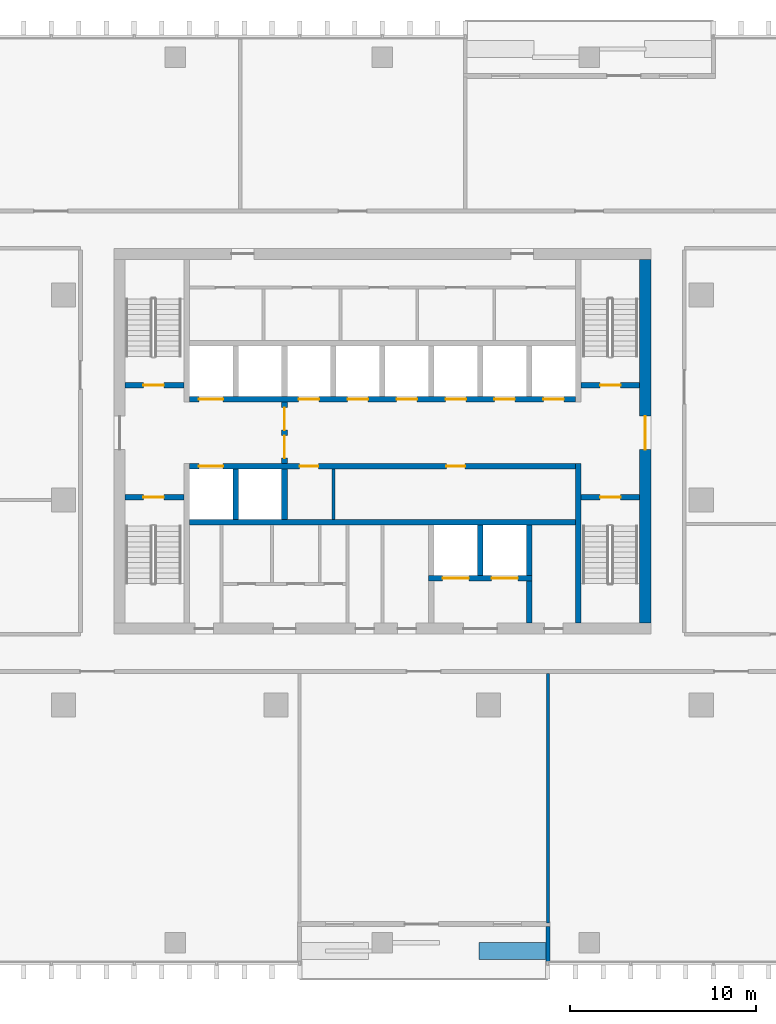
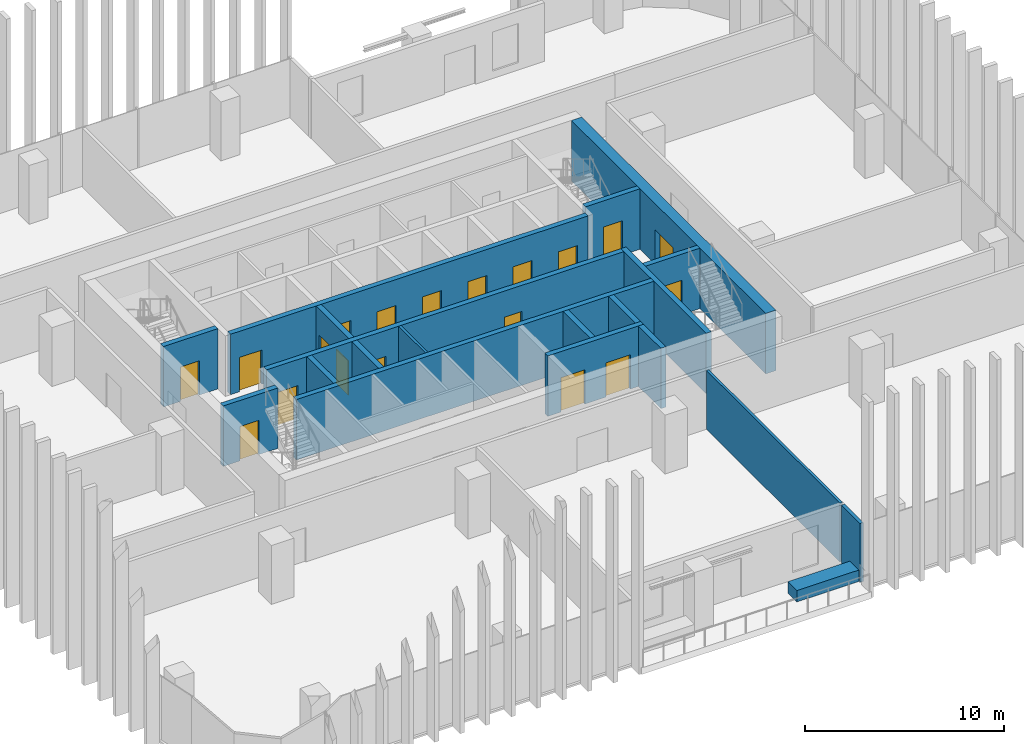
# One storey, part 8 of 16: 20 walls, 19 doors, 19 openings.
"""IFC4 building model written with IfcOpenShell, lengths in metres."""

from ifc_helpers import new_model, si_unit, direction, frame, frame_2d, origin, place, context, subcontext, project, spatial, rectangle, extrude, material, layer, layer_set, type_object, element, fill, save


model = new_model("IFC4")

# Units and contexts
model_context = context("Model", 3, precision=1e-05, world=origin(), true_north=direction((0.0, 1.0)))
body_context = subcontext(model_context, "Body", "Model", "MODEL_VIEW")
ifc_project = project(units=[si_unit("LENGTHUNIT", "METRE"), si_unit("AREAUNIT", "SQUARE_METRE"), si_unit("VOLUMEUNIT", "CUBIC_METRE"), si_unit("PLANEANGLEUNIT", "RADIAN"), si_unit("MASSUNIT", "GRAM", prefix="KILO")], contexts=[model_context])

# Site, building, storey
site_placement = place(None, origin())
site = spatial("IfcSite", under=ifc_project, at=site_placement, CompositionType="ELEMENT")
building_placement = place(site_placement, origin())
building = spatial("IfcBuilding", under=site, at=building_placement, Name="Mopane Tessera Tower", CompositionType="ELEMENT")
storey_placement = place(building_placement, frame((0.0, 0.0, 235.0)))
storey = spatial("IfcBuildingStorey", under=building, at=storey_placement, Name="L50", CompositionType="ELEMENT", Elevation=235.0)

# Wall
ifc_material_1 = material(Name="Fire-rated gypsum board partition")
ifc_layer_1 = layer(ifc_material_1, 0.14990234375)
ifc_layer_set_1 = layer_set([ifc_layer_1], Name="Fire-rated gypsum board partition")
wall_type_1 = type_object("IfcWallType", Name="Core room partition 150 mm", PredefinedType="PARTITIONING", material=ifc_layer_set_1)
wall_1_placement = place(storey_placement, frame((-2.625, -1.050048828125, 0.0), z_axis=(0.0, 0.0, 1.0), x_axis=(0.0, 1.0, 0.0)))
element("IfcWall", 1, at=wall_1_placement, inside=storey, type_object=wall_type_1, Name="L50 Room partition", PredefinedType="PARTITIONING", context=body_context, shape_type="SweptSolid", body=[
    extrude(rectangle(XDim=2.699951171875, YDim=0.14990234375, at=frame_2d((1.35009765625, 0.0))), origin(), (0.0, 0.0, 1.0), 3.699951171875),
])

# Wall, opening, door
ifc_material_2 = material(Name="Concrete C70/85", Category="concrete")
ifc_layer_2 = layer(ifc_material_2, 0.60009765625)
ifc_layer_set_2 = layer_set([ifc_layer_2], Name="Concrete C70/85")
wall_type_2 = type_object("IfcWallType", Name="Core shear wall 600 mm", PredefinedType="SHEAR", material=ifc_layer_set_2)
wall_2_placement = place(storey_placement, frame((14.10009765625, -6.60009765625, 0.0), z_axis=(0.0, 0.0, 1.0), x_axis=(0.0, 1.0, 0.0)))
wall_2 = element("IfcWall", 2, at=wall_2_placement, inside=storey, type_object=wall_type_2, Name="L50 Core wall east", PredefinedType="SHEAR", context=body_context, shape_type="SweptSolid", body=[
    extrude(rectangle(XDim=19.5, YDim=0.60009765625, at=frame_2d((9.75, 0.0))), origin(), (0.0, 0.0, 1.0), 3.699951171875),
])
opening_1_placement = place(wall_2_placement, frame((9.300048828125, 0.0, 0.0)))
opening_1 = element("IfcOpeningElement", 3, at=opening_1_placement, cuts=wall_2, Name="Opening SD2", PredefinedType="OPENING", context=body_context, shape_type="SweptSolid", body=[
    extrude(rectangle(XDim=1.800048828125, YDim=2.10009765625, at=frame_2d((0.89990234375, 1.050048828125))), frame((0.0, 0.31201171875, 0.0), z_axis=(0.0, -1.0, 0.0), x_axis=(1.0, 0.0, 0.0)), (0.0, 0.0, 1.0), 0.6240234375),
])
ifc_material_3 = material(Name="Steel fire door", Category="steel")
door_type_1 = type_object("IfcDoorType", Name="Core entrance double door 1800 x 2100", OperationType="DOUBLE_DOOR_SINGLE_SWING", PredefinedType="DOOR", material=ifc_material_3)
door_1_placement = place(opening_1_placement, origin())
door_1 = element("IfcDoor", 4, at=door_1_placement, inside=storey, type_object=door_type_1, Name="L50 Core entrance door east", OperationType="DOUBLE_DOOR_SINGLE_SWING", OverallHeight=2.10009765625, OverallWidth=1.800048828125, PredefinedType="DOOR", context=body_context, shape_type="SweptSolid", body=[
    extrude(rectangle(XDim=1.800048828125, YDim=2.10009765625, at=frame_2d((0.89990234375, 1.050048828125))), frame((0.0, 0.02490234375, 0.0), z_axis=(0.0, -1.0, 0.0), x_axis=(1.0, 0.0, 0.0)), (0.0, 0.0, 1.0), 0.050048828125),
])
fill(opening_1, door_1)

# Walls
ifc_material_4 = material(Name="Concrete C60/75", Category="concrete")
ifc_layer_3 = layer(ifc_material_4, 0.300048828125)
ifc_layer_set_3 = layer_set([ifc_layer_3], Name="Concrete C60/75")
wall_type_3 = type_object("IfcWallType", Name="Core spine wall 300 mm", PredefinedType="SHEAR", material=ifc_layer_set_3)
wall_3_placement = place(storey_placement, frame((10.5, -6.60009765625, 0.0), z_axis=(0.0, 0.0, 1.0), x_axis=(0.0, 1.0, 0.0)))
element("IfcWall", 5, at=wall_3_placement, inside=storey, type_object=wall_type_3, Name="L50 Core spine wall", PredefinedType="SHEAR", context=body_context, shape_type="SweptSolid", body=[
    extrude(rectangle(XDim=8.550048828125, YDim=0.300048828125, at=frame_2d((4.27490234375, 0.0))), origin(), (0.0, 0.0, 1.0), 3.699951171875),
])
ifc_material_5 = material(Name="Gypsum board on steel studs, mineral wool infill", Category="steel")
ifc_layer_4 = layer(ifc_material_5, 0.14990234375)
ifc_layer_set_4 = layer_set([ifc_layer_4], Name="Gypsum board on steel studs, mineral wool infill")
wall_type_4 = type_object("IfcWallType", Name="Gypsum board partition 150, rated EI 60", PredefinedType="PARTITIONING", material=ifc_layer_set_4)
wall_4_placement = place(storey_placement, frame((8.8798828125, -22.699951171875, 0.0), z_axis=(0.0, 0.0, 1.0), x_axis=(0.0, 1.0, 0.0)))
element("IfcWall", 6, at=wall_4_placement, inside=storey, type_object=wall_type_4, Name="Partition L50:013", PredefinedType="PARTITIONING", context=body_context, shape_type="SweptSolid", body=[
    extrude(rectangle(XDim=13.39990234375, YDim=0.14990234375, at=frame_2d((6.699951171875, 0.0))), origin(), (0.0, 0.0, 1.0), 3.60009765625),
])

# Wall, opening, door
ifc_material_6 = material(Name="Concrete C50/60", Category="concrete")
ifc_layer_5 = layer(ifc_material_6, 0.300048828125)
ifc_layer_set_5 = layer_set([ifc_layer_5], Name="Concrete C50/60")
wall_type_5 = type_object("IfcWallType", Name="Lift and stair shaft wall 300 mm", PredefinedType="SOLIDWALL", material=ifc_layer_set_5)
wall_5_placement = place(storey_placement, frame((-13.800048828125, 0.14990234375, 0.0), z_axis=(0.0, 0.0, 1.0), x_axis=(1.0, 0.0, 0.0)))
wall_5 = element("IfcWall", 7, at=wall_5_placement, inside=storey, type_object=wall_type_5, Name="L50 Stair enclosure wall", PredefinedType="SOLIDWALL", context=body_context, shape_type="SweptSolid", body=[
    extrude(rectangle(XDim=3.150146484375, YDim=0.300048828125, at=frame_2d((1.5751953125, 0.0))), origin(), (0.0, 0.0, 1.0), 3.699951171875),
])
opening_2_placement = place(wall_5_placement, frame((0.97509765625, 0.0, 0.0)))
opening_2 = element("IfcOpeningElement", 8, at=opening_2_placement, cuts=wall_5, Name="Opening SD1", PredefinedType="OPENING", context=body_context, shape_type="SweptSolid", body=[
    extrude(rectangle(XDim=1.10009765625, YDim=2.10009765625, at=frame_2d((0.550048828125, 1.050048828125))), frame((0.0, 0.162109375, 0.0), z_axis=(0.0, -1.0, 0.0), x_axis=(1.0, 0.0, 0.0)), (0.0, 0.0, 1.0), 0.323974609375),
])
ifc_material_7 = material(Name="Steel fire door", Category="steel")
door_type_2 = type_object("IfcDoorType", Name="Stair fire door 1100 x 2100", OperationType="SINGLE_SWING_LEFT", PredefinedType="DOOR", material=ifc_material_7)
door_2_placement = place(opening_2_placement, origin())
door_2 = element("IfcDoor", 9, at=door_2_placement, inside=storey, type_object=door_type_2, Name="L50 Stair door ST1", OperationType="SINGLE_SWING_LEFT", OverallHeight=2.10009765625, OverallWidth=1.10009765625, PredefinedType="DOOR", context=body_context, shape_type="SweptSolid", body=[
    extrude(rectangle(XDim=1.10009765625, YDim=2.10009765625, at=frame_2d((0.550048828125, 1.050048828125))), frame((0.0, 0.02490234375, 0.0), z_axis=(0.0, -1.0, 0.0), x_axis=(1.0, 0.0, 0.0)), (0.0, 0.0, 1.0), 0.050048828125),
])
fill(opening_2, door_2)

wall_6_placement = place(storey_placement, frame((-13.800048828125, 6.14990234375, 0.0), z_axis=(0.0, 0.0, 1.0), x_axis=(1.0, 0.0, 0.0)))
wall_6 = element("IfcWall", 10, at=wall_6_placement, inside=storey, type_object=wall_type_5, Name="L50 Stair enclosure wall", PredefinedType="SOLIDWALL", context=body_context, shape_type="SweptSolid", body=[
    extrude(rectangle(XDim=3.150146484375, YDim=0.300048828125, at=frame_2d((1.5751953125, 0.0))), origin(), (0.0, 0.0, 1.0), 3.699951171875),
])
opening_3_placement = place(wall_6_placement, frame((0.97509765625, 0.0, 0.0)))
opening_3 = element("IfcOpeningElement", 11, at=opening_3_placement, cuts=wall_6, Name="Opening SD1", PredefinedType="OPENING", context=body_context, shape_type="SweptSolid", body=[
    extrude(rectangle(XDim=1.10009765625, YDim=2.10009765625, at=frame_2d((0.550048828125, 1.050048828125))), frame((0.0, 0.162109375, 0.0), z_axis=(0.0, -1.0, 0.0), x_axis=(1.0, 0.0, 0.0)), (0.0, 0.0, 1.0), 0.323974609375),
])
door_3_placement = place(opening_3_placement, origin())
door_3 = element("IfcDoor", 12, at=door_3_placement, inside=storey, type_object=door_type_2, Name="L50 Stair door ST2", OperationType="SINGLE_SWING_LEFT", OverallHeight=2.10009765625, OverallWidth=1.10009765625, PredefinedType="DOOR", context=body_context, shape_type="SweptSolid", body=[
    extrude(rectangle(XDim=1.10009765625, YDim=2.10009765625, at=frame_2d((0.550048828125, 1.050048828125))), frame((0.0, 0.02490234375, 0.0), z_axis=(0.0, -1.0, 0.0), x_axis=(1.0, 0.0, 0.0)), (0.0, 0.0, 1.0), 0.050048828125),
])
fill(opening_3, door_3)

wall_7_placement = place(storey_placement, frame((10.64990234375, 0.14990234375, 0.0), z_axis=(0.0, 0.0, 1.0), x_axis=(1.0, 0.0, 0.0)))
wall_7 = element("IfcWall", 13, at=wall_7_placement, inside=storey, type_object=wall_type_5, Name="L50 Stair enclosure wall", PredefinedType="SOLIDWALL", context=body_context, shape_type="SweptSolid", body=[
    extrude(rectangle(XDim=3.150146484375, YDim=0.300048828125, at=frame_2d((1.5751953125, 0.0))), origin(), (0.0, 0.0, 1.0), 3.699951171875),
])
opening_4_placement = place(wall_7_placement, frame((1.02490234375, 0.0, 0.0)))
opening_4 = element("IfcOpeningElement", 14, at=opening_4_placement, cuts=wall_7, Name="Opening SD1", PredefinedType="OPENING", context=body_context, shape_type="SweptSolid", body=[
    extrude(rectangle(XDim=1.10009765625, YDim=2.10009765625, at=frame_2d((0.550048828125, 1.050048828125))), frame((0.0, 0.162109375, 0.0), z_axis=(0.0, -1.0, 0.0), x_axis=(1.0, 0.0, 0.0)), (0.0, 0.0, 1.0), 0.323974609375),
])
door_4_placement = place(opening_4_placement, origin())
door_4 = element("IfcDoor", 15, at=door_4_placement, inside=storey, type_object=door_type_2, Name="L50 Stair door ST3", OperationType="SINGLE_SWING_RIGHT", OverallHeight=2.10009765625, OverallWidth=1.10009765625, PredefinedType="DOOR", context=body_context, shape_type="SweptSolid", body=[
    extrude(rectangle(XDim=1.10009765625, YDim=2.10009765625, at=frame_2d((0.550048828125, 1.050048828125))), frame((0.0, 0.02490234375, 0.0), z_axis=(0.0, -1.0, 0.0), x_axis=(1.0, 0.0, 0.0)), (0.0, 0.0, 1.0), 0.050048828125),
])
fill(opening_4, door_4)

wall_8_placement = place(storey_placement, frame((10.64990234375, 6.14990234375, 0.0), z_axis=(0.0, 0.0, 1.0), x_axis=(1.0, 0.0, 0.0)))
wall_8 = element("IfcWall", 16, at=wall_8_placement, inside=storey, type_object=wall_type_5, Name="L50 Stair enclosure wall", PredefinedType="SOLIDWALL", context=body_context, shape_type="SweptSolid", body=[
    extrude(rectangle(XDim=3.150146484375, YDim=0.300048828125, at=frame_2d((1.5751953125, 0.0))), origin(), (0.0, 0.0, 1.0), 3.699951171875),
])
opening_5_placement = place(wall_8_placement, frame((1.02490234375, 0.0, 0.0)))
opening_5 = element("IfcOpeningElement", 17, at=opening_5_placement, cuts=wall_8, Name="Opening SD1", PredefinedType="OPENING", context=body_context, shape_type="SweptSolid", body=[
    extrude(rectangle(XDim=1.10009765625, YDim=2.10009765625, at=frame_2d((0.550048828125, 1.050048828125))), frame((0.0, 0.162109375, 0.0), z_axis=(0.0, -1.0, 0.0), x_axis=(1.0, 0.0, 0.0)), (0.0, 0.0, 1.0), 0.323974609375),
])
door_5_placement = place(opening_5_placement, origin())
door_5 = element("IfcDoor", 18, at=door_5_placement, inside=storey, type_object=door_type_2, Name="L50 Stair door ST4", OperationType="SINGLE_SWING_RIGHT", OverallHeight=2.10009765625, OverallWidth=1.10009765625, PredefinedType="DOOR", context=body_context, shape_type="SweptSolid", body=[
    extrude(rectangle(XDim=1.10009765625, YDim=2.10009765625, at=frame_2d((0.550048828125, 1.050048828125))), frame((0.0, 0.02490234375, 0.0), z_axis=(0.0, -1.0, 0.0), x_axis=(1.0, 0.0, 0.0)), (0.0, 0.0, 1.0), 0.050048828125),
])
fill(opening_5, door_5)

# Wall
wall_9_placement = place(storey_placement, frame((-10.35009765625, -1.199951171875, 0.0), z_axis=(0.0, 0.0, 1.0), x_axis=(1.0, 0.0, 0.0)))
element("IfcWall", 19, at=wall_9_placement, inside=storey, type_object=wall_type_5, Name="L50 Lift shaft rear wall", PredefinedType="SOLIDWALL", context=body_context, shape_type="SweptSolid", body=[
    extrude(rectangle(XDim=20.7001953125, YDim=0.300048828125, at=frame_2d((10.35009765625, 0.0))), origin(), (0.0, 0.0, 1.0), 3.699951171875),
])

# Wall, openings, doors
wall_10_placement = place(storey_placement, frame((-10.35009765625, 1.800048828125, 0.0), z_axis=(0.0, 0.0, 1.0), x_axis=(1.0, 0.0, 0.0)))
wall_10 = element("IfcWall", 20, at=wall_10_placement, inside=storey, type_object=wall_type_5, Name="L50 Lift shaft front wall", PredefinedType="SOLIDWALL", context=body_context, shape_type="SweptSolid", body=[
    extrude(rectangle(XDim=20.7001953125, YDim=0.300048828125, at=frame_2d((10.35009765625, 0.0))), origin(), (0.0, 0.0, 1.0), 3.699951171875),
])
opening_6_placement = place(wall_10_placement, frame((0.512451171875, 0.0, 0.0)))
opening_6 = element("IfcOpeningElement", 21, at=opening_6_placement, cuts=wall_10, Name="Opening LD2", PredefinedType="OPENING", context=body_context, shape_type="SweptSolid", body=[
    extrude(rectangle(XDim=1.300048828125, YDim=2.10009765625, at=frame_2d((0.64990234375, 1.050048828125))), frame((0.0, 0.162109375, 0.0), z_axis=(0.0, -1.0, 0.0), x_axis=(1.0, 0.0, 0.0)), (0.0, 0.0, 1.0), 0.323974609375),
])
opening_7_placement = place(wall_10_placement, frame((5.91259765625, 0.0, 0.0)))
opening_7 = element("IfcOpeningElement", 22, at=opening_7_placement, cuts=wall_10, Name="Opening RD1", PredefinedType="OPENING", context=body_context, shape_type="SweptSolid", body=[
    extrude(rectangle(XDim=1.0, YDim=2.10009765625, at=frame_2d((0.5, 1.050048828125))), frame((0.0, 0.162109375, 0.0), z_axis=(0.0, -1.0, 0.0), x_axis=(1.0, 0.0, 0.0)), (0.0, 0.0, 1.0), 0.323974609375),
])
opening_8_placement = place(wall_10_placement, frame((13.78759765625, 0.0, 0.0)))
opening_8 = element("IfcOpeningElement", 23, at=opening_8_placement, cuts=wall_10, Name="Opening RD1", PredefinedType="OPENING", context=body_context, shape_type="SweptSolid", body=[
    extrude(rectangle(XDim=1.0, YDim=2.10009765625, at=frame_2d((0.5, 1.050048828125))), frame((0.0, 0.162109375, 0.0), z_axis=(0.0, -1.0, 0.0), x_axis=(1.0, 0.0, 0.0)), (0.0, 0.0, 1.0), 0.323974609375),
])
ifc_material_8 = material(Name="Timber door", Category="wood")
door_type_3 = type_object("IfcDoorType", Name="Core room door 1000 x 2100", OperationType="SINGLE_SWING_LEFT", PredefinedType="DOOR", material=ifc_material_8)
door_6_placement = place(opening_7_placement, origin())
door_6 = element("IfcDoor", 24, at=door_6_placement, inside=storey, type_object=door_type_3, Name="L50 Room door", OperationType="SINGLE_SWING_LEFT", OverallHeight=2.10009765625, OverallWidth=1.0, PredefinedType="DOOR", context=body_context, shape_type="SweptSolid", body=[
    extrude(rectangle(XDim=1.0, YDim=2.10009765625, at=frame_2d((0.5, 1.050048828125))), frame((0.0, 0.02490234375, 0.0), z_axis=(0.0, -1.0, 0.0), x_axis=(1.0, 0.0, 0.0)), (0.0, 0.0, 1.0), 0.050048828125),
])
fill(opening_7, door_6)
door_7_placement = place(opening_8_placement, origin())
door_7 = element("IfcDoor", 25, at=door_7_placement, inside=storey, type_object=door_type_3, Name="L50 Room door", OperationType="SINGLE_SWING_LEFT", OverallHeight=2.10009765625, OverallWidth=1.0, PredefinedType="DOOR", context=body_context, shape_type="SweptSolid", body=[
    extrude(rectangle(XDim=1.0, YDim=2.10009765625, at=frame_2d((0.5, 1.050048828125))), frame((0.0, 0.02490234375, 0.0), z_axis=(0.0, -1.0, 0.0), x_axis=(1.0, 0.0, 0.0)), (0.0, 0.0, 1.0), 0.050048828125),
])
fill(opening_8, door_7)
ifc_material_9 = material(Name="Stainless steel sliding door", Category="steel")
door_type_4 = type_object("IfcDoorType", Name="Fire-fighting lift landing door 1300 x 2100", OperationType="DOUBLE_DOOR_SLIDING", PredefinedType="DOOR", material=ifc_material_9)
door_8_placement = place(opening_6_placement, origin())
door_8 = element("IfcDoor", 26, at=door_8_placement, inside=storey, type_object=door_type_4, Name="L50 Lift landing door FF1", OperationType="DOUBLE_DOOR_SLIDING", OverallHeight=2.10009765625, OverallWidth=1.300048828125, PredefinedType="DOOR", context=body_context, shape_type="SweptSolid", body=[
    extrude(rectangle(XDim=1.300048828125, YDim=2.10009765625, at=frame_2d((0.64990234375, 1.050048828125))), frame((0.0, 0.02490234375, 0.0), z_axis=(0.0, -1.0, 0.0), x_axis=(1.0, 0.0, 0.0)), (0.0, 0.0, 1.0), 0.050048828125),
])
fill(opening_6, door_8)

wall_11_placement = place(storey_placement, frame((-10.35009765625, 5.39990234375, 0.0), z_axis=(0.0, 0.0, 1.0), x_axis=(1.0, 0.0, 0.0)))
wall_11 = element("IfcWall", 27, at=wall_11_placement, inside=storey, type_object=wall_type_5, Name="L50 Lift shaft front wall", PredefinedType="SOLIDWALL", context=body_context, shape_type="SweptSolid", body=[
    extrude(rectangle(XDim=20.7001953125, YDim=0.300048828125, at=frame_2d((10.35009765625, 0.0))), origin(), (0.0, 0.0, 1.0), 3.699951171875),
])
opening_9_placement = place(wall_11_placement, frame((0.512451171875, 0.0, 0.0)))
opening_9 = element("IfcOpeningElement", 28, at=opening_9_placement, cuts=wall_11, Name="Opening LD2", PredefinedType="OPENING", context=body_context, shape_type="SweptSolid", body=[
    extrude(rectangle(XDim=1.300048828125, YDim=2.10009765625, at=frame_2d((0.64990234375, 1.050048828125))), frame((0.0, 0.162109375, 0.0), z_axis=(0.0, -1.0, 0.0), x_axis=(1.0, 0.0, 0.0)), (0.0, 0.0, 1.0), 0.323974609375),
])
opening_10_placement = place(wall_11_placement, frame((5.862548828125, 0.0, 0.0)))
opening_10 = element("IfcOpeningElement", 29, at=opening_10_placement, cuts=wall_11, Name="Opening LD", PredefinedType="OPENING", context=body_context, shape_type="SweptSolid", body=[
    extrude(rectangle(XDim=1.10009765625, YDim=2.10009765625, at=frame_2d((0.550048828125, 1.050048828125))), frame((0.0, 0.162109375, 0.0), z_axis=(0.0, -1.0, 0.0), x_axis=(1.0, 0.0, 0.0)), (0.0, 0.0, 1.0), 0.323974609375),
])
opening_11_placement = place(wall_11_placement, frame((8.487548828125, 0.0, 0.0)))
opening_11 = element("IfcOpeningElement", 30, at=opening_11_placement, cuts=wall_11, Name="Opening LD", PredefinedType="OPENING", context=body_context, shape_type="SweptSolid", body=[
    extrude(rectangle(XDim=1.10009765625, YDim=2.10009765625, at=frame_2d((0.550048828125, 1.050048828125))), frame((0.0, 0.162109375, 0.0), z_axis=(0.0, -1.0, 0.0), x_axis=(1.0, 0.0, 0.0)), (0.0, 0.0, 1.0), 0.323974609375),
])
opening_12_placement = place(wall_11_placement, frame((11.112548828125, 0.0, 0.0)))
opening_12 = element("IfcOpeningElement", 31, at=opening_12_placement, cuts=wall_11, Name="Opening LD", PredefinedType="OPENING", context=body_context, shape_type="SweptSolid", body=[
    extrude(rectangle(XDim=1.10009765625, YDim=2.10009765625, at=frame_2d((0.550048828125, 1.050048828125))), frame((0.0, 0.162109375, 0.0), z_axis=(0.0, -1.0, 0.0), x_axis=(1.0, 0.0, 0.0)), (0.0, 0.0, 1.0), 0.323974609375),
])
opening_13_placement = place(wall_11_placement, frame((13.737548828125, 0.0, 0.0)))
opening_13 = element("IfcOpeningElement", 32, at=opening_13_placement, cuts=wall_11, Name="Opening LD", PredefinedType="OPENING", context=body_context, shape_type="SweptSolid", body=[
    extrude(rectangle(XDim=1.10009765625, YDim=2.10009765625, at=frame_2d((0.550048828125, 1.050048828125))), frame((0.0, 0.162109375, 0.0), z_axis=(0.0, -1.0, 0.0), x_axis=(1.0, 0.0, 0.0)), (0.0, 0.0, 1.0), 0.323974609375),
])
opening_14_placement = place(wall_11_placement, frame((16.362548828125, 0.0, 0.0)))
opening_14 = element("IfcOpeningElement", 33, at=opening_14_placement, cuts=wall_11, Name="Opening LD", PredefinedType="OPENING", context=body_context, shape_type="SweptSolid", body=[
    extrude(rectangle(XDim=1.10009765625, YDim=2.10009765625, at=frame_2d((0.550048828125, 1.050048828125))), frame((0.0, 0.162109375, 0.0), z_axis=(0.0, -1.0, 0.0), x_axis=(1.0, 0.0, 0.0)), (0.0, 0.0, 1.0), 0.323974609375),
])
opening_15_placement = place(wall_11_placement, frame((18.987548828125, 0.0, 0.0)))
opening_15 = element("IfcOpeningElement", 34, at=opening_15_placement, cuts=wall_11, Name="Opening LD", PredefinedType="OPENING", context=body_context, shape_type="SweptSolid", body=[
    extrude(rectangle(XDim=1.10009765625, YDim=2.10009765625, at=frame_2d((0.550048828125, 1.050048828125))), frame((0.0, 0.162109375, 0.0), z_axis=(0.0, -1.0, 0.0), x_axis=(1.0, 0.0, 0.0)), (0.0, 0.0, 1.0), 0.323974609375),
])
door_9_placement = place(opening_9_placement, origin())
door_9 = element("IfcDoor", 35, at=door_9_placement, inside=storey, type_object=door_type_4, Name="L50 Lift landing door FF2", OperationType="DOUBLE_DOOR_SLIDING", OverallHeight=2.10009765625, OverallWidth=1.300048828125, PredefinedType="DOOR", context=body_context, shape_type="SweptSolid", body=[
    extrude(rectangle(XDim=1.300048828125, YDim=2.10009765625, at=frame_2d((0.64990234375, 1.050048828125))), frame((0.0, 0.02490234375, 0.0), z_axis=(0.0, -1.0, 0.0), x_axis=(1.0, 0.0, 0.0)), (0.0, 0.0, 1.0), 0.050048828125),
])
fill(opening_9, door_9)
ifc_material_10 = material(Name="Stainless steel sliding door", Category="steel")
door_type_5 = type_object("IfcDoorType", Name="Lift landing door 1100 x 2100", OperationType="DOUBLE_DOOR_SLIDING", PredefinedType="DOOR", material=ifc_material_10)
door_10_placement = place(opening_10_placement, origin())
door_10 = element("IfcDoor", 36, at=door_10_placement, inside=storey, type_object=door_type_5, Name="L50 Lift landing door HR1", OperationType="DOUBLE_DOOR_SLIDING", OverallHeight=2.10009765625, OverallWidth=1.10009765625, PredefinedType="DOOR", context=body_context, shape_type="SweptSolid", body=[
    extrude(rectangle(XDim=1.10009765625, YDim=2.10009765625, at=frame_2d((0.550048828125, 1.050048828125))), frame((0.0, 0.02490234375, 0.0), z_axis=(0.0, -1.0, 0.0), x_axis=(1.0, 0.0, 0.0)), (0.0, 0.0, 1.0), 0.050048828125),
])
fill(opening_10, door_10)
door_11_placement = place(opening_11_placement, origin())
door_11 = element("IfcDoor", 37, at=door_11_placement, inside=storey, type_object=door_type_5, Name="L50 Lift landing door HR2", OperationType="DOUBLE_DOOR_SLIDING", OverallHeight=2.10009765625, OverallWidth=1.10009765625, PredefinedType="DOOR", context=body_context, shape_type="SweptSolid", body=[
    extrude(rectangle(XDim=1.10009765625, YDim=2.10009765625, at=frame_2d((0.550048828125, 1.050048828125))), frame((0.0, 0.02490234375, 0.0), z_axis=(0.0, -1.0, 0.0), x_axis=(1.0, 0.0, 0.0)), (0.0, 0.0, 1.0), 0.050048828125),
])
fill(opening_11, door_11)
door_12_placement = place(opening_12_placement, origin())
door_12 = element("IfcDoor", 38, at=door_12_placement, inside=storey, type_object=door_type_5, Name="L50 Lift landing door HR3", OperationType="DOUBLE_DOOR_SLIDING", OverallHeight=2.10009765625, OverallWidth=1.10009765625, PredefinedType="DOOR", context=body_context, shape_type="SweptSolid", body=[
    extrude(rectangle(XDim=1.10009765625, YDim=2.10009765625, at=frame_2d((0.550048828125, 1.050048828125))), frame((0.0, 0.02490234375, 0.0), z_axis=(0.0, -1.0, 0.0), x_axis=(1.0, 0.0, 0.0)), (0.0, 0.0, 1.0), 0.050048828125),
])
fill(opening_12, door_12)
door_13_placement = place(opening_13_placement, origin())
door_13 = element("IfcDoor", 39, at=door_13_placement, inside=storey, type_object=door_type_5, Name="L50 Lift landing door HR4", OperationType="DOUBLE_DOOR_SLIDING", OverallHeight=2.10009765625, OverallWidth=1.10009765625, PredefinedType="DOOR", context=body_context, shape_type="SweptSolid", body=[
    extrude(rectangle(XDim=1.10009765625, YDim=2.10009765625, at=frame_2d((0.550048828125, 1.050048828125))), frame((0.0, 0.02490234375, 0.0), z_axis=(0.0, -1.0, 0.0), x_axis=(1.0, 0.0, 0.0)), (0.0, 0.0, 1.0), 0.050048828125),
])
fill(opening_13, door_13)
door_14_placement = place(opening_14_placement, origin())
door_14 = element("IfcDoor", 40, at=door_14_placement, inside=storey, type_object=door_type_5, Name="L50 Lift landing door HR5", OperationType="DOUBLE_DOOR_SLIDING", OverallHeight=2.10009765625, OverallWidth=1.10009765625, PredefinedType="DOOR", context=body_context, shape_type="SweptSolid", body=[
    extrude(rectangle(XDim=1.10009765625, YDim=2.10009765625, at=frame_2d((0.550048828125, 1.050048828125))), frame((0.0, 0.02490234375, 0.0), z_axis=(0.0, -1.0, 0.0), x_axis=(1.0, 0.0, 0.0)), (0.0, 0.0, 1.0), 0.050048828125),
])
fill(opening_14, door_14)
door_15_placement = place(opening_15_placement, origin())
door_15 = element("IfcDoor", 41, at=door_15_placement, inside=storey, type_object=door_type_5, Name="L50 Lift landing door HR6", OperationType="DOUBLE_DOOR_SLIDING", OverallHeight=2.10009765625, OverallWidth=1.10009765625, PredefinedType="DOOR", context=body_context, shape_type="SweptSolid", body=[
    extrude(rectangle(XDim=1.10009765625, YDim=2.10009765625, at=frame_2d((0.550048828125, 1.050048828125))), frame((0.0, 0.02490234375, 0.0), z_axis=(0.0, -1.0, 0.0), x_axis=(1.0, 0.0, 0.0)), (0.0, 0.0, 1.0), 0.050048828125),
])
fill(opening_15, door_15)

# Walls
for number, where, z_axis, x_axis, name in (
    (42, (-7.875, -1.050048828125, 0.0), (0.0, 0.0, 1.0), (0.0, 1.0, 0.0), "L50 Lift shaft wall"),
    (43, (-5.25, -1.050048828125, 0.0), (0.0, 0.0, 1.0), (0.0, 1.0, 0.0), "L50 Lift shaft wall"),
):
    element("IfcWall", number, at=place(storey_placement, frame(where, z_axis=z_axis, x_axis=x_axis)), inside=storey, type_object=wall_type_5, Name=name, PredefinedType="SOLIDWALL", context=body_context, shape_type="SweptSolid", body=[
        extrude(rectangle(XDim=2.699951171875, YDim=0.300048828125, at=frame_2d((1.35009765625, 0.0))), origin(), (0.0, 0.0, 1.0), 3.699951171875),
    ])

# Wall, openings, doors
wall_12_placement = place(storey_placement, frame((2.47509765625, -4.199951171875, 0.0), z_axis=(0.0, 0.0, 1.0), x_axis=(1.0, 0.0, 0.0)))
wall_12 = element("IfcWall", 44, at=wall_12_placement, inside=storey, type_object=wall_type_5, Name="L50 Lift shaft front wall", PredefinedType="SOLIDWALL", context=body_context, shape_type="SweptSolid", body=[
    extrude(rectangle(XDim=5.5498046875, YDim=0.300048828125, at=frame_2d((2.77490234375, 0.0))), origin(), (0.0, 0.0, 1.0), 3.699951171875),
])
opening_16_placement = place(wall_12_placement, frame((0.762451171875, 0.0, 0.0)))
opening_16 = element("IfcOpeningElement", 45, at=opening_16_placement, cuts=wall_12, Name="Opening LD3", PredefinedType="OPENING", context=body_context, shape_type="SweptSolid", body=[
    extrude(rectangle(XDim=1.39990234375, YDim=2.10009765625, at=frame_2d((0.699951171875, 1.050048828125))), frame((0.0, 0.162109375, 0.0), z_axis=(0.0, -1.0, 0.0), x_axis=(1.0, 0.0, 0.0)), (0.0, 0.0, 1.0), 0.323974609375),
])
opening_17_placement = place(wall_12_placement, frame((3.387451171875, 0.0, 0.0)))
opening_17 = element("IfcOpeningElement", 46, at=opening_17_placement, cuts=wall_12, Name="Opening LD3", PredefinedType="OPENING", context=body_context, shape_type="SweptSolid", body=[
    extrude(rectangle(XDim=1.39990234375, YDim=2.10009765625, at=frame_2d((0.699951171875, 1.050048828125))), frame((0.0, 0.162109375, 0.0), z_axis=(0.0, -1.0, 0.0), x_axis=(1.0, 0.0, 0.0)), (0.0, 0.0, 1.0), 0.323974609375),
])
ifc_material_11 = material(Name="Stainless steel sliding door", Category="steel")
door_type_6 = type_object("IfcDoorType", Name="Service lift landing door 1400 x 2100", OperationType="DOUBLE_DOOR_SLIDING", PredefinedType="DOOR", material=ifc_material_11)
door_16_placement = place(opening_16_placement, origin())
door_16 = element("IfcDoor", 47, at=door_16_placement, inside=storey, type_object=door_type_6, Name="L50 Lift landing door SV1", OperationType="DOUBLE_DOOR_SLIDING", OverallHeight=2.10009765625, OverallWidth=1.39990234375, PredefinedType="DOOR", context=body_context, shape_type="SweptSolid", body=[
    extrude(rectangle(XDim=1.39990234375, YDim=2.10009765625, at=frame_2d((0.699951171875, 1.050048828125))), frame((0.0, 0.02490234375, 0.0), z_axis=(0.0, -1.0, 0.0), x_axis=(1.0, 0.0, 0.0)), (0.0, 0.0, 1.0), 0.050048828125),
])
fill(opening_16, door_16)
door_17_placement = place(opening_17_placement, origin())
door_17 = element("IfcDoor", 48, at=door_17_placement, inside=storey, type_object=door_type_6, Name="L50 Lift landing door SV2", OperationType="DOUBLE_DOOR_SLIDING", OverallHeight=2.10009765625, OverallWidth=1.39990234375, PredefinedType="DOOR", context=body_context, shape_type="SweptSolid", body=[
    extrude(rectangle(XDim=1.39990234375, YDim=2.10009765625, at=frame_2d((0.699951171875, 1.050048828125))), frame((0.0, 0.02490234375, 0.0), z_axis=(0.0, -1.0, 0.0), x_axis=(1.0, 0.0, 0.0)), (0.0, 0.0, 1.0), 0.050048828125),
])
fill(opening_17, door_17)

# Walls
for number, where, z_axis, x_axis, name in (
    (49, (5.25, -4.050048828125, 0.0), (0.0, 0.0, 1.0), (0.0, 1.0, 0.0), "L50 Lift shaft wall"),
    (50, (7.875, -4.050048828125, 0.0), (0.0, 0.0, 1.0), (0.0, 1.0, 0.0), "L50 Lift shaft wall"),
):
    element("IfcWall", number, at=place(storey_placement, frame(where, z_axis=z_axis, x_axis=x_axis)), inside=storey, type_object=wall_type_5, Name=name, PredefinedType="SOLIDWALL", context=body_context, shape_type="SweptSolid", body=[
        extrude(rectangle(XDim=2.699951171875, YDim=0.300048828125, at=frame_2d((1.35009765625, 0.0))), origin(), (0.0, 0.0, 1.0), 3.699951171875),
    ])

# Wall, openings, doors
ifc_material_12 = material(Name="Concrete C50/60", Category="concrete")
ifc_layer_6 = layer(ifc_material_12, 0.300048828125)
ifc_layer_set_6 = layer_set([ifc_layer_6], Name="Concrete C50/60")
wall_type_6 = type_object("IfcWallType", Name="Lobby and refuge room wall 300 mm", PredefinedType="SOLIDWALL", material=ifc_layer_set_6)
wall_13_placement = place(storey_placement, frame((-5.25, 1.949951171875, 0.0), z_axis=(0.0, 0.0, 1.0), x_axis=(0.0, 1.0, 0.0)))
wall_13 = element("IfcWall", 51, at=wall_13_placement, inside=storey, type_object=wall_type_6, Name="L50 Fire-fighting lobby wall", PredefinedType="SOLIDWALL", context=body_context, shape_type="SweptSolid", body=[
    extrude(rectangle(XDim=3.300048828125, YDim=0.300048828125, at=frame_2d((1.64990234375, 0.0))), origin(), (0.0, 0.0, 1.0), 3.699951171875),
])
opening_18_placement = place(wall_13_placement, frame((0.300048828125, 0.0, 0.0)))
opening_18 = element("IfcOpeningElement", 52, at=opening_18_placement, cuts=wall_13, Name="Opening SD3", PredefinedType="OPENING", context=body_context, shape_type="SweptSolid", body=[
    extrude(rectangle(XDim=1.199951171875, YDim=2.10009765625, at=frame_2d((0.60009765625, 1.050048828125))), frame((0.0, 0.162109375, 0.0), z_axis=(0.0, -1.0, 0.0), x_axis=(1.0, 0.0, 0.0)), (0.0, 0.0, 1.0), 0.323974609375),
])
opening_19_placement = place(wall_13_placement, frame((1.800048828125, 0.0, 0.0)))
opening_19 = element("IfcOpeningElement", 53, at=opening_19_placement, cuts=wall_13, Name="Opening SD3", PredefinedType="OPENING", context=body_context, shape_type="SweptSolid", body=[
    extrude(rectangle(XDim=1.199951171875, YDim=2.10009765625, at=frame_2d((0.60009765625, 1.050048828125))), frame((0.0, 0.162109375, 0.0), z_axis=(0.0, -1.0, 0.0), x_axis=(1.0, 0.0, 0.0)), (0.0, 0.0, 1.0), 0.323974609375),
])
ifc_material_13 = material(Name="Steel fire door", Category="steel")
door_type_7 = type_object("IfcDoorType", Name="Lobby fire door 1200 x 2100", OperationType="SINGLE_SWING_LEFT", PredefinedType="DOOR", material=ifc_material_13)
door_18_placement = place(opening_18_placement, origin())
door_18 = element("IfcDoor", 54, at=door_18_placement, inside=storey, type_object=door_type_7, Name="L50 Fire-fighting lobby door", OperationType="SINGLE_SWING_LEFT", OverallHeight=2.10009765625, OverallWidth=1.199951171875, PredefinedType="DOOR", context=body_context, shape_type="SweptSolid", body=[
    extrude(rectangle(XDim=1.199951171875, YDim=2.10009765625, at=frame_2d((0.60009765625, 1.050048828125))), frame((0.0, 0.02490234375, 0.0), z_axis=(0.0, -1.0, 0.0), x_axis=(1.0, 0.0, 0.0)), (0.0, 0.0, 1.0), 0.050048828125),
])
fill(opening_18, door_18)
door_19_placement = place(opening_19_placement, origin())
door_19 = element("IfcDoor", 55, at=door_19_placement, inside=storey, type_object=door_type_7, Name="L50 Fire-fighting lobby door", OperationType="SINGLE_SWING_RIGHT", OverallHeight=2.10009765625, OverallWidth=1.199951171875, PredefinedType="DOOR", context=body_context, shape_type="SweptSolid", body=[
    extrude(rectangle(XDim=1.199951171875, YDim=2.10009765625, at=frame_2d((0.60009765625, 1.050048828125))), frame((0.0, 0.02490234375, 0.0), z_axis=(0.0, -1.0, 0.0), x_axis=(1.0, 0.0, 0.0)), (0.0, 0.0, 1.0), 0.050048828125),
])
fill(opening_19, door_19)

# Walls
wall_14_placement = place(storey_placement, frame((7.875, -6.60009765625, 0.0), z_axis=(0.0, 0.0, 1.0), x_axis=(0.0, 1.0, 0.0)))
element("IfcWall", 56, at=wall_14_placement, inside=storey, type_object=wall_type_6, Name="L50 Service lobby wall", PredefinedType="SOLIDWALL", context=body_context, shape_type="SweptSolid", body=[
    extrude(rectangle(XDim=2.25, YDim=0.300048828125, at=frame_2d((1.125, 0.0))), origin(), (0.0, 0.0, 1.0), 3.699951171875),
])
ifc_material_14 = material(Name="Reinforced concrete C32/40 with waterproofing", Category="concrete")
ifc_layer_7 = layer(ifc_material_14, 0.89990234375)
ifc_layer_set_7 = layer_set([ifc_layer_7], Name="Reinforced concrete C32/40 with waterproofing")
wall_type_7 = type_object("IfcWallType", Name="Planter trough 3600 x 900", PredefinedType="STANDARD", material=ifc_layer_set_7)
wall_15_placement = place(storey_placement, frame((5.179931640625, -24.199951171875, 0.0), z_axis=(0.0, 0.0, 1.0), x_axis=(1.0, 0.0, 0.0)))
element("IfcWall", 57, at=wall_15_placement, inside=storey, type_object=wall_type_7, Name="e:nw:L50:N1:pl1", PredefinedType="STANDARD", context=body_context, shape_type="SweptSolid", body=[
    extrude(rectangle(XDim=3.60009765625, YDim=0.89990234375, at=frame_2d((1.800048828125, 0.0))), origin(), (0.0, 0.0, 1.0), 0.699951171875),
])
ifc_material_15 = material(Name="Blockwork with glazed tile facing", Category="masonry")
ifc_layer_8 = layer(ifc_material_15, 0.199951171875)
ifc_layer_set_8 = layer_set([ifc_layer_8], Name="Blockwork with glazed tile facing")
wall_type_8 = type_object("IfcWallType", Name="Terrace cheek wall 200", PredefinedType="STANDARD", material=ifc_layer_set_8)
wall_16_placement = place(storey_placement, frame((8.8798828125, -24.75, 0.0), z_axis=(0.0, 0.0, 1.0), x_axis=(0.0, 1.0, 0.0)))
element("IfcWall", 58, at=wall_16_placement, inside=storey, type_object=wall_type_8, Name="e:nw:L50:N1:cheekb", PredefinedType="STANDARD", context=body_context, shape_type="SweptSolid", body=[
    extrude(rectangle(XDim=1.875, YDim=0.199951171875, at=frame_2d((0.9375, 0.0))), origin(), (0.0, 0.0, 1.0), 3.60009765625),
])

save(model, "model.ifc")
